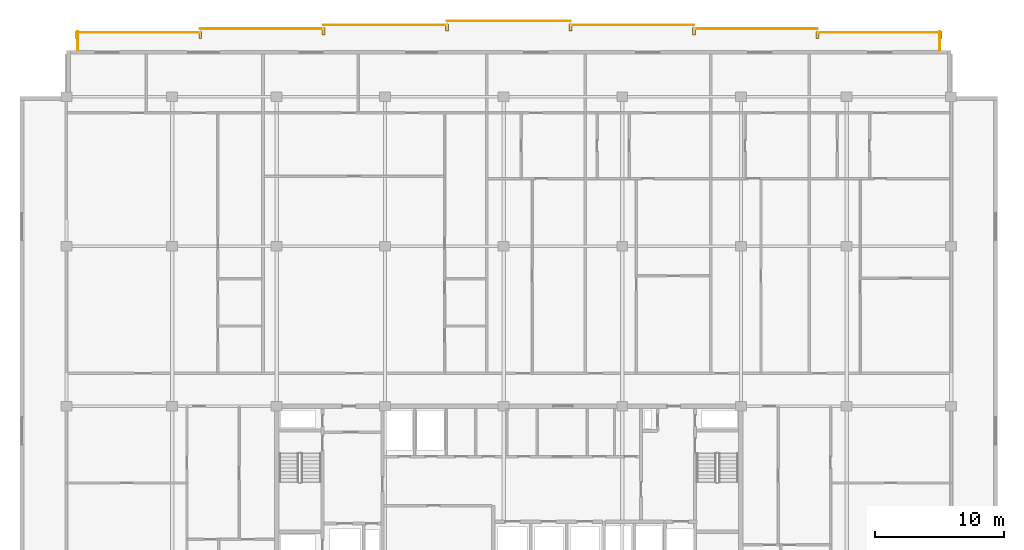
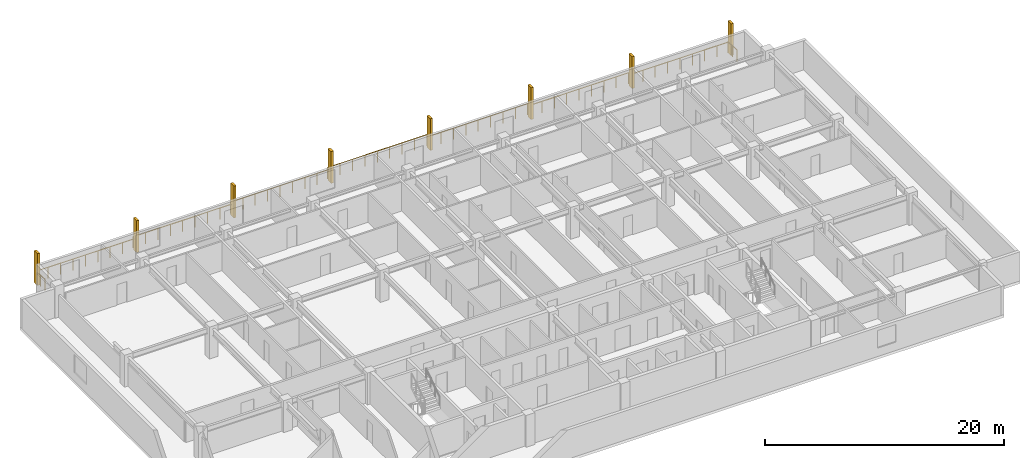
# One storey, part 21 of 21: 9 railings, 8 shading devices.
"""IFC4 building model written with IfcOpenShell, lengths in metres."""

from ifc_helpers import new_model, si_unit, direction, frame, origin, origin_2d, place, context, subcontext, project, spatial, rectangle, circle, extrude, material, type_object, element, save


model = new_model("IFC4")

# Units and contexts
model_context = context("Model", 3, precision=1e-05, world=origin(), true_north=direction((0.0, 1.0)))
body_context = subcontext(model_context, "Body", "Model", "MODEL_VIEW")
ifc_project = project(units=[si_unit("LENGTHUNIT", "METRE"), si_unit("AREAUNIT", "SQUARE_METRE"), si_unit("VOLUMEUNIT", "CUBIC_METRE"), si_unit("PLANEANGLEUNIT", "RADIAN"), si_unit("MASSUNIT", "GRAM", prefix="KILO")], contexts=[model_context])

# Site, building, storey
site_placement = place(None, origin())
site = spatial("IfcSite", under=ifc_project, at=site_placement, CompositionType="ELEMENT")
building_placement = place(site_placement, origin())
building = spatial("IfcBuilding", under=site, at=building_placement, Name="Korimba Cascade Residences", CompositionType="ELEMENT")
storey_placement = place(building_placement, frame((0.0, 0.0, 171.85009765625)))
storey = spatial("IfcBuildingStorey", under=building, at=storey_placement, Name="L49", CompositionType="ELEMENT", Elevation=171.85009765625)

# Railings
ifc_material_1 = material(Name="Laminated Glass and Bronze Balustrade", Category="glass")
railing_type = type_object("IfcRailingType", Name="RLG-LOG-1150", PredefinedType="BALUSTRADE", material=ifc_material_1)
railing_1_placement = place(storey_placement, frame((127.52001953125, 94.800048828125, 0.0)))
element("IfcRailing", 1, at=railing_1_placement, inside=storey, type_object=railing_type, Name="L49 Perimeter Guardrail RLG-L49-T1-LOG-01", PredefinedType="BALUSTRADE", context=body_context, shape_type="SweptSolid", body=[
    extrude(circle(Radius=0.02392578125, at=origin_2d()), frame((0.0, 0.0, 1.1259765625), z_axis=(0.0, 1.0, 0.0), x_axis=(-1.0, 0.0, 0.0)), (0.0, 0.0, 1.0), 1.449951171875),
    extrude(circle(Radius=0.02099609375, at=origin_2d()), origin(), (0.0, 0.0, 1.0), 1.101806640625),
    extrude(circle(Radius=0.02099609375, at=origin_2d()), frame((0.0, 0.72509765625, 0.0)), (0.0, 0.0, 1.0), 1.101806640625),
    extrude(circle(Radius=0.02099609375, at=origin_2d()), frame((0.0, 1.449951171875, 0.0)), (0.0, 0.0, 1.0), 1.101806640625),
])
for number, where, name in (
    (2, (127.60009765625, 96.169921875, 0.0), "L49 Perimeter Guardrail RLG-L49-T1-LOG-02"),
    (3, (118.028564453125, 96.469970703125, 0.0), "L49 Perimeter Guardrail RLG-L49-T1-LOG-03"),
):
    element("IfcRailing", number, at=place(storey_placement, frame(where)), inside=storey, type_object=railing_type, Name=name, PredefinedType="BALUSTRADE", context=body_context, shape_type="SweptSolid", body=[
        extrude(circle(Radius=0.02392578125, at=origin_2d()), frame((0.0, 0.0, 1.1259765625), z_axis=(-1.0, 0.0, 0.0), x_axis=(0.0, -1.0, 0.0)), (0.0, 0.0, 1.0), 9.571533203125),
        extrude(circle(Radius=0.02099609375, at=origin_2d()), origin(), (0.0, 0.0, 1.0), 1.101806640625),
        extrude(circle(Radius=0.02099609375, at=origin_2d()), frame((-1.196533203125, 0.0, 0.0)), (0.0, 0.0, 1.0), 1.101806640625),
        extrude(circle(Radius=0.02099609375, at=origin_2d()), frame((-2.392822265625, 0.0, 0.0)), (0.0, 0.0, 1.0), 1.101806640625),
        extrude(circle(Radius=0.02099609375, at=origin_2d()), frame((-3.58935546875, 0.0, 0.0)), (0.0, 0.0, 1.0), 1.101806640625),
        extrude(circle(Radius=0.02099609375, at=origin_2d()), frame((-4.78564453125, 0.0, 0.0)), (0.0, 0.0, 1.0), 1.101806640625),
        extrude(circle(Radius=0.02099609375, at=origin_2d()), frame((-5.982177734375, 0.0, 0.0)), (0.0, 0.0, 1.0), 1.101806640625),
        extrude(circle(Radius=0.02099609375, at=origin_2d()), frame((-7.1787109375, 0.0, 0.0)), (0.0, 0.0, 1.0), 1.101806640625),
        extrude(circle(Radius=0.02099609375, at=origin_2d()), frame((-8.375, 0.0, 0.0)), (0.0, 0.0, 1.0), 1.101806640625),
        extrude(circle(Radius=0.02099609375, at=origin_2d()), frame((-9.571533203125, 0.0, 0.0)), (0.0, 0.0, 1.0), 1.101806640625),
    ])
railing_2_placement = place(storey_placement, frame((108.45703125, 96.77001953125, 0.0)))
element("IfcRailing", 4, at=railing_2_placement, inside=storey, type_object=railing_type, Name="L49 Perimeter Guardrail RLG-L49-T1-LOG-04", PredefinedType="BALUSTRADE", context=body_context, shape_type="SweptSolid", body=[
    extrude(circle(Radius=0.02392578125, at=origin_2d()), frame((0.0, 0.0, 1.1259765625), z_axis=(-1.0, 0.0, 0.0), x_axis=(0.0, -1.0, 0.0)), (0.0, 0.0, 1.0), 9.5712890625),
    extrude(circle(Radius=0.02099609375, at=origin_2d()), origin(), (0.0, 0.0, 1.0), 1.101806640625),
    extrude(circle(Radius=0.02099609375, at=origin_2d()), frame((-1.1962890625, 0.0, 0.0)), (0.0, 0.0, 1.0), 1.101806640625),
    extrude(circle(Radius=0.02099609375, at=origin_2d()), frame((-2.392822265625, 0.0, 0.0)), (0.0, 0.0, 1.0), 1.101806640625),
    extrude(circle(Radius=0.02099609375, at=origin_2d()), frame((-3.58935546875, 0.0, 0.0)), (0.0, 0.0, 1.0), 1.101806640625),
    extrude(circle(Radius=0.02099609375, at=origin_2d()), frame((-4.78564453125, 0.0, 0.0)), (0.0, 0.0, 1.0), 1.101806640625),
    extrude(circle(Radius=0.02099609375, at=origin_2d()), frame((-5.98193359375, 0.0, 0.0)), (0.0, 0.0, 1.0), 1.101806640625),
    extrude(circle(Radius=0.02099609375, at=origin_2d()), frame((-7.178466796875, 0.0, 0.0)), (0.0, 0.0, 1.0), 1.101806640625),
    extrude(circle(Radius=0.02099609375, at=origin_2d()), frame((-8.375, 0.0, 0.0)), (0.0, 0.0, 1.0), 1.101806640625),
    extrude(circle(Radius=0.02099609375, at=origin_2d()), frame((-9.5712890625, 0.0, 0.0)), (0.0, 0.0, 1.0), 1.101806640625),
])
railing_3_placement = place(storey_placement, frame((98.8857421875, 97.070068359375, 0.0)))
element("IfcRailing", 5, at=railing_3_placement, inside=storey, type_object=railing_type, Name="L49 Perimeter Guardrail RLG-L49-T1-LOG-05", PredefinedType="BALUSTRADE", context=body_context, shape_type="SweptSolid", body=[
    extrude(circle(Radius=0.02392578125, at=origin_2d()), frame((0.0, 0.0, 1.1259765625), z_axis=(-1.0, 0.0, 0.0), x_axis=(0.0, -1.0, 0.0)), (0.0, 0.0, 1.0), 9.571533203125),
    extrude(circle(Radius=0.02099609375, at=origin_2d()), origin(), (0.0, 0.0, 1.0), 1.101806640625),
    extrude(circle(Radius=0.02099609375, at=origin_2d()), frame((-1.196533203125, 0.0, 0.0)), (0.0, 0.0, 1.0), 1.101806640625),
    extrude(circle(Radius=0.02099609375, at=origin_2d()), frame((-2.392822265625, 0.0, 0.0)), (0.0, 0.0, 1.0), 1.101806640625),
    extrude(circle(Radius=0.02099609375, at=origin_2d()), frame((-3.58935546875, 0.0, 0.0)), (0.0, 0.0, 1.0), 1.101806640625),
    extrude(circle(Radius=0.02099609375, at=origin_2d()), frame((-4.78564453125, 0.0, 0.0)), (0.0, 0.0, 1.0), 1.101806640625),
    extrude(circle(Radius=0.02099609375, at=origin_2d()), frame((-5.982177734375, 0.0, 0.0)), (0.0, 0.0, 1.0), 1.101806640625),
    extrude(circle(Radius=0.02099609375, at=origin_2d()), frame((-7.1787109375, 0.0, 0.0)), (0.0, 0.0, 1.0), 1.101806640625),
    extrude(circle(Radius=0.02099609375, at=origin_2d()), frame((-8.375, 0.0, 0.0)), (0.0, 0.0, 1.0), 1.101806640625),
    extrude(circle(Radius=0.02099609375, at=origin_2d()), frame((-9.571533203125, 0.0, 0.0)), (0.0, 0.0, 1.0), 1.101806640625),
])
railing_4_placement = place(storey_placement, frame((89.314208984375, 96.77001953125, 0.0)))
element("IfcRailing", 6, at=railing_4_placement, inside=storey, type_object=railing_type, Name="L49 Perimeter Guardrail RLG-L49-T1-LOG-06", PredefinedType="BALUSTRADE", context=body_context, shape_type="SweptSolid", body=[
    extrude(circle(Radius=0.02392578125, at=origin_2d()), frame((0.0, 0.0, 1.1259765625), z_axis=(-1.0, 0.0, 0.0), x_axis=(0.0, -1.0, 0.0)), (0.0, 0.0, 1.0), 9.5712890625),
    extrude(circle(Radius=0.02099609375, at=origin_2d()), origin(), (0.0, 0.0, 1.0), 1.101806640625),
    extrude(circle(Radius=0.02099609375, at=origin_2d()), frame((-1.1962890625, 0.0, 0.0)), (0.0, 0.0, 1.0), 1.101806640625),
    extrude(circle(Radius=0.02099609375, at=origin_2d()), frame((-2.392822265625, 0.0, 0.0)), (0.0, 0.0, 1.0), 1.101806640625),
    extrude(circle(Radius=0.02099609375, at=origin_2d()), frame((-3.58935546875, 0.0, 0.0)), (0.0, 0.0, 1.0), 1.101806640625),
    extrude(circle(Radius=0.02099609375, at=origin_2d()), frame((-4.78564453125, 0.0, 0.0)), (0.0, 0.0, 1.0), 1.101806640625),
    extrude(circle(Radius=0.02099609375, at=origin_2d()), frame((-5.98193359375, 0.0, 0.0)), (0.0, 0.0, 1.0), 1.101806640625),
    extrude(circle(Radius=0.02099609375, at=origin_2d()), frame((-7.178466796875, 0.0, 0.0)), (0.0, 0.0, 1.0), 1.101806640625),
    extrude(circle(Radius=0.02099609375, at=origin_2d()), frame((-8.375, 0.0, 0.0)), (0.0, 0.0, 1.0), 1.101806640625),
    extrude(circle(Radius=0.02099609375, at=origin_2d()), frame((-9.5712890625, 0.0, 0.0)), (0.0, 0.0, 1.0), 1.101806640625),
])
railing_5_placement = place(storey_placement, frame((79.742919921875, 96.469970703125, 0.0)))
element("IfcRailing", 7, at=railing_5_placement, inside=storey, type_object=railing_type, Name="L49 Perimeter Guardrail RLG-L49-T1-LOG-07", PredefinedType="BALUSTRADE", context=body_context, shape_type="SweptSolid", body=[
    extrude(circle(Radius=0.02392578125, at=origin_2d()), frame((0.0, 0.0, 1.1259765625), z_axis=(-1.0, 0.0, 0.0), x_axis=(0.0, -1.0, 0.0)), (0.0, 0.0, 1.0), 9.571533203125),
    extrude(circle(Radius=0.02099609375, at=origin_2d()), origin(), (0.0, 0.0, 1.0), 1.101806640625),
    extrude(circle(Radius=0.02099609375, at=origin_2d()), frame((-1.196533203125, 0.0, 0.0)), (0.0, 0.0, 1.0), 1.101806640625),
    extrude(circle(Radius=0.02099609375, at=origin_2d()), frame((-2.392822265625, 0.0, 0.0)), (0.0, 0.0, 1.0), 1.101806640625),
    extrude(circle(Radius=0.02099609375, at=origin_2d()), frame((-3.58935546875, 0.0, 0.0)), (0.0, 0.0, 1.0), 1.101806640625),
    extrude(circle(Radius=0.02099609375, at=origin_2d()), frame((-4.78564453125, 0.0, 0.0)), (0.0, 0.0, 1.0), 1.101806640625),
    extrude(circle(Radius=0.02099609375, at=origin_2d()), frame((-5.982177734375, 0.0, 0.0)), (0.0, 0.0, 1.0), 1.101806640625),
    extrude(circle(Radius=0.02099609375, at=origin_2d()), frame((-7.1787109375, 0.0, 0.0)), (0.0, 0.0, 1.0), 1.101806640625),
    extrude(circle(Radius=0.02099609375, at=origin_2d()), frame((-8.375, 0.0, 0.0)), (0.0, 0.0, 1.0), 1.101806640625),
    extrude(circle(Radius=0.02099609375, at=origin_2d()), frame((-9.571533203125, 0.0, 0.0)), (0.0, 0.0, 1.0), 1.101806640625),
])
railing_6_placement = place(storey_placement, frame((70.17138671875, 96.169921875, 0.0)))
element("IfcRailing", 8, at=railing_6_placement, inside=storey, type_object=railing_type, Name="L49 Perimeter Guardrail RLG-L49-T1-LOG-08", PredefinedType="BALUSTRADE", context=body_context, shape_type="SweptSolid", body=[
    extrude(circle(Radius=0.02392578125, at=origin_2d()), frame((0.0, 0.0, 1.1259765625), z_axis=(-1.0, 0.0, 0.0), x_axis=(0.0, -1.0, 0.0)), (0.0, 0.0, 1.0), 9.5712890625),
    extrude(circle(Radius=0.02099609375, at=origin_2d()), origin(), (0.0, 0.0, 1.0), 1.101806640625),
    extrude(circle(Radius=0.02099609375, at=origin_2d()), frame((-1.1962890625, 0.0, 0.0)), (0.0, 0.0, 1.0), 1.101806640625),
    extrude(circle(Radius=0.02099609375, at=origin_2d()), frame((-2.392822265625, 0.0, 0.0)), (0.0, 0.0, 1.0), 1.101806640625),
    extrude(circle(Radius=0.02099609375, at=origin_2d()), frame((-3.58935546875, 0.0, 0.0)), (0.0, 0.0, 1.0), 1.101806640625),
    extrude(circle(Radius=0.02099609375, at=origin_2d()), frame((-4.78564453125, 0.0, 0.0)), (0.0, 0.0, 1.0), 1.101806640625),
    extrude(circle(Radius=0.02099609375, at=origin_2d()), frame((-5.98193359375, 0.0, 0.0)), (0.0, 0.0, 1.0), 1.101806640625),
    extrude(circle(Radius=0.02099609375, at=origin_2d()), frame((-7.178466796875, 0.0, 0.0)), (0.0, 0.0, 1.0), 1.101806640625),
    extrude(circle(Radius=0.02099609375, at=origin_2d()), frame((-8.375, 0.0, 0.0)), (0.0, 0.0, 1.0), 1.101806640625),
    extrude(circle(Radius=0.02099609375, at=origin_2d()), frame((-9.5712890625, 0.0, 0.0)), (0.0, 0.0, 1.0), 1.101806640625),
])
railing_7_placement = place(storey_placement, frame((60.679931640625, 96.25, 0.0)))
element("IfcRailing", 9, at=railing_7_placement, inside=storey, type_object=railing_type, Name="L49 Perimeter Guardrail RLG-L49-T1-LOG-09", PredefinedType="BALUSTRADE", context=body_context, shape_type="SweptSolid", body=[
    extrude(circle(Radius=0.02392578125, at=origin_2d()), frame((0.0, 0.0, 1.1259765625), z_axis=(0.0, -1.0, 0.0), x_axis=(1.0, 0.0, 0.0)), (0.0, 0.0, 1.0), 1.449951171875),
    extrude(circle(Radius=0.02099609375, at=origin_2d()), origin(), (0.0, 0.0, 1.0), 1.101806640625),
    extrude(circle(Radius=0.02099609375, at=origin_2d()), frame((0.0, -0.72509765625, 0.0)), (0.0, 0.0, 1.0), 1.101806640625),
    extrude(circle(Radius=0.02099609375, at=origin_2d()), frame((0.0, -1.449951171875, 0.0)), (0.0, 0.0, 1.0), 1.101806640625),
])

# Shading devices
ifc_material_2 = material(Name="Honed Sandstone Precast Fin", Category="masonry")
shading_device_type = type_object("IfcShadingDeviceType", Name="SHD-FIN-550", PredefinedType="USERDEFINED", material=ifc_material_2)
for number, where, z_axis, x_axis, name in (
    (10, (60.60009765625, 95.97509765625, 0.0), (0.0, 0.0, 1.0), (1.0, 0.0, 0.0), "L49 T1 Warm-Stone Loggia Fin 1"),
    (11, (70.17138671875, 95.97509765625, 0.0), (0.0, 0.0, 1.0), (1.0, 0.0, 0.0), "L49 T1 Warm-Stone Loggia Fin 2"),
    (12, (79.742919921875, 96.27490234375, 0.0), (0.0, 0.0, 1.0), (1.0, 0.0, 0.0), "L49 T1 Warm-Stone Loggia Fin 3"),
    (13, (89.314208984375, 96.574951171875, 0.0), (0.0, 0.0, 1.0), (1.0, 0.0, 0.0), "L49 T1 Warm-Stone Loggia Fin 4"),
    (14, (98.8857421875, 96.574951171875, 0.0), (0.0, 0.0, 1.0), (1.0, 0.0, 0.0), "L49 T1 Warm-Stone Loggia Fin 5"),
    (15, (108.45703125, 96.27490234375, 0.0), (0.0, 0.0, 1.0), (1.0, 0.0, 0.0), "L49 T1 Warm-Stone Loggia Fin 6"),
    (16, (118.028564453125, 95.97509765625, 0.0), (0.0, 0.0, 1.0), (1.0, 0.0, 0.0), "L49 T1 Warm-Stone Loggia Fin 7"),
    (17, (127.60009765625, 95.97509765625, 0.0), (0.0, 0.0, 1.0), (1.0, 0.0, 0.0), "L49 T1 Warm-Stone Loggia Fin 8"),
):
    element("IfcShadingDevice", number, at=place(storey_placement, frame(where, z_axis=z_axis, x_axis=x_axis)), inside=storey, type_object=shading_device_type, Name=name, ObjectType="FIN", PredefinedType="USERDEFINED", context=body_context, shape_type="SweptSolid", body=[
        extrude(rectangle(XDim=0.219970703125, YDim=0.550048828125, at=origin_2d()), origin(), (0.0, 0.0, 1.0), 3.25),
    ])

save(model, "model.ifc")
